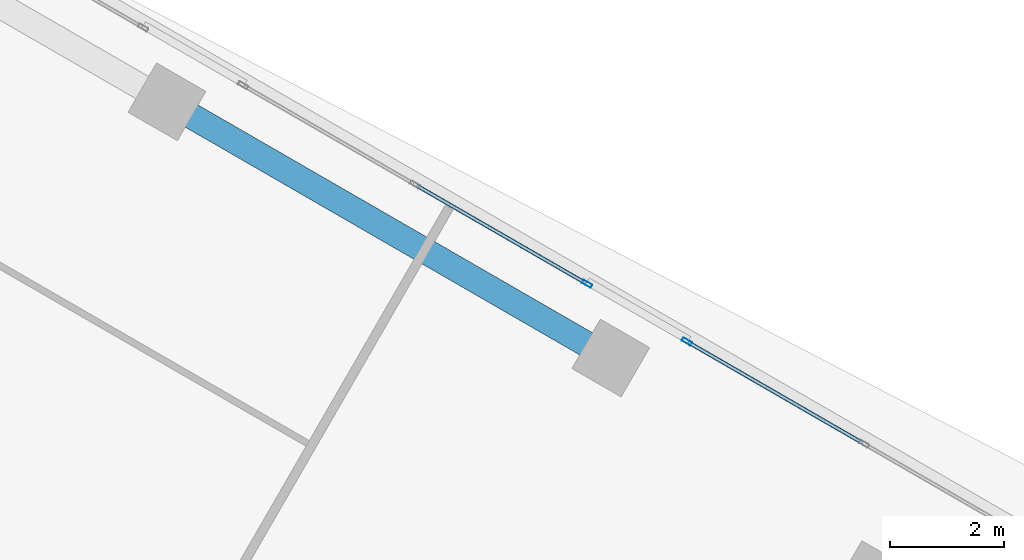
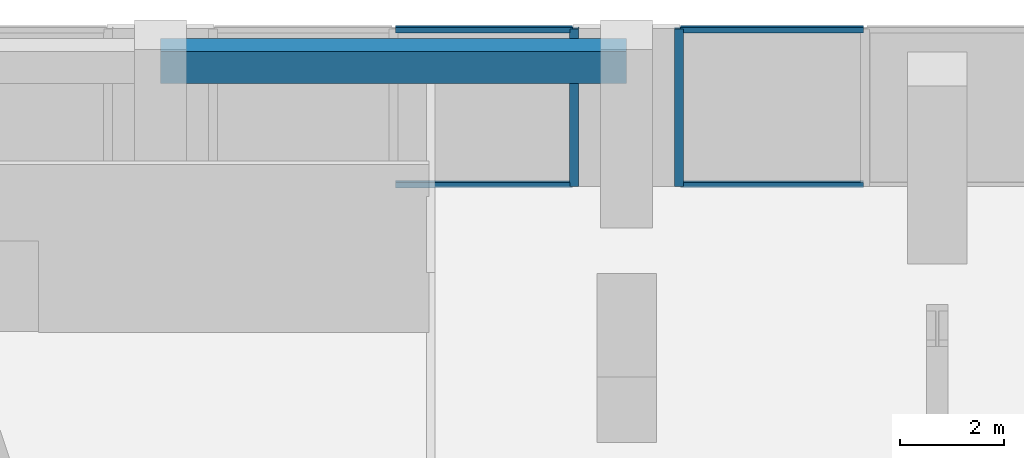
# One storey, part 10 of 21: 6 members, 1 beam, 2 elements without a shape of their own.
"""IFC4 building model written with IfcOpenShell, lengths in metres."""

from ifc_helpers import new_model, si_unit, direction, frame, origin, origin_2d, place, context, subcontext, project, spatial, rectangle, hollow_rectangle, extrude, source, transform, mapped, material, material_profile, profile_set, type_object, element, aggregate, save


model = new_model("IFC4")

# Units and contexts
model_context = context("Model", 3, precision=1e-05, world=origin(), true_north=direction((0.0, 1.0)))
body_context = subcontext(model_context, "Body", "Model", "MODEL_VIEW")
ifc_project = project(units=[si_unit("LENGTHUNIT", "METRE"), si_unit("AREAUNIT", "SQUARE_METRE"), si_unit("VOLUMEUNIT", "CUBIC_METRE"), si_unit("PLANEANGLEUNIT", "RADIAN"), si_unit("MASSUNIT", "GRAM", prefix="KILO")], contexts=[model_context])

# Site, building, storey
site_placement = place(None, origin())
site = spatial("IfcSite", under=ifc_project, at=site_placement, CompositionType="ELEMENT")
building_placement = place(site_placement, origin())
building = spatial("IfcBuilding", under=site, at=building_placement, Name="Torre Montelarca", CompositionType="ELEMENT")
storey_placement = place(building_placement, frame((0.0, 0.0, 179.199951171875)))
storey = spatial("IfcBuildingStorey", under=building, at=storey_placement, Name="L40", CompositionType="ELEMENT", Elevation=179.199951171875)

# Beam
ifc_material_1 = material(Name="Concrete C55/67", Category="concrete")
ifc_material_profile_1 = material_profile(ifc_material_1, rectangle(XDim=0.449951171875, YDim=0.75, at=origin_2d()), Name="RCB450X750", Category="concrete")
ifc_profile_set_1 = profile_set([ifc_material_profile_1], Name="Concrete C55/67")
beam_type = type_object("IfcBeamType", Name="BM-SP-RC750-EXT", PredefinedType="SPANDREL", material=ifc_profile_set_1)
shared_shape_1 = source(origin(), body_context, "Body", "SweptSolid", [
    extrude(rectangle(XDim=0.449951171875, YDim=0.75, at=origin_2d()), origin(), (0.0, 0.0, 1.0), 9.0),
])
beam_placement = place(storey_placement, frame((33.838134765625, 42.370361328125, 3.5849609375), z_axis=(0.866024315419, -0.5000018851, 0.0), x_axis=(0.5000018851, 0.866024315419, 0.0)))
element("IfcBeam", 1, at=beam_placement, inside=storey, type_object=beam_type, Name="L40 Grid Girder X 27.0-36.0 at Y=47.1", PredefinedType="SPANDREL", context=body_context, shape_type="MappedRepresentation", body=[
    mapped(shared_shape_1, transform((0.0, 0.0, 0.0), scale=1.0)),
])

# Curtain wall, member
ifc_material_2 = material(Name="Insulated low-E laminated glass", Category="glass")
curtain_wall_type = type_object("IfcCurtainWallType", Name="CW-SYS-Z2", PredefinedType="USERDEFINED", material=ifc_material_2)
curtain_wall_1_placement = place(storey_placement, origin())
curtain_wall_1 = element("IfcCurtainWall", 2, at=curtain_wall_1_placement, inside=storey, type_object=curtain_wall_type, Name="L40 Curtain Wall Run CW-T3-L40-E08-B1", ObjectType="UNITISED GLAZING", PredefinedType="USERDEFINED")
ifc_material_3 = material(Name="Anodised aluminium AA 6063-T6", Category="aluminium")
ifc_material_profile_2 = material_profile(ifc_material_3, hollow_rectangle(XDim=0.06494140625, YDim=0.179931640625, WallThickness=0.00390625, InnerFilletRadius=0.00390625, OuterFilletRadius=0.008056640625, at=origin_2d()), Name="ALU65X180X4", Category="aluminium")
ifc_profile_set_2 = profile_set([ifc_material_profile_2], Name="Anodised aluminium AA 6063-T6")
member_type_1 = type_object("IfcMemberType", Name="CWM-ALU180", PredefinedType="MULLION", material=ifc_profile_set_2)
shared_shape_2 = source(origin(), body_context, "Body", "SweptSolid", [
    extrude(hollow_rectangle(XDim=0.06494140625, YDim=0.179931640625, WallThickness=0.00390625, InnerFilletRadius=0.00390625, OuterFilletRadius=0.008056640625, at=origin_2d()), origin(), (0.0, 0.0, 1.0), 3.719970703125),
])
member_1_placement = place(storey_placement, frame((42.96923828125, 38.16064453125, 0.0), z_axis=(0.0, 0.0, 1.0), x_axis=(-0.500001282416, -0.86602466338, 0.0)))
member_1 = element("IfcMember", 3, at=member_1_placement, type_object=member_type_1, Name="CW mullion 3", PredefinedType="MULLION", context=body_context, shape_type="MappedRepresentation", body=[
    mapped(shared_shape_2, transform((0.0, 0.0, 0.0), scale=1.0)),
])

# Curtain wall, members
curtain_wall_2_placement = place(storey_placement, origin())
curtain_wall_2 = element("IfcCurtainWall", 4, at=curtain_wall_2_placement, inside=storey, type_object=curtain_wall_type, Name="L40 Curtain Wall Run CW-T3-L40-E08-B2", ObjectType="UNITISED GLAZING", PredefinedType="USERDEFINED")
member_2_placement = place(storey_placement, frame((41.215576171875, 39.17333984375, 0.0), z_axis=(0.0, 0.0, 1.0), x_axis=(-0.49999500825, -0.866028285754, 0.0)))
member_2 = element("IfcMember", 5, at=member_2_placement, type_object=member_type_1, Name="CW mullion 1", PredefinedType="MULLION", context=body_context, shape_type="MappedRepresentation", body=[
    mapped(shared_shape_2, transform((0.0, 0.0, 0.0), scale=1.0)),
])
ifc_material_profile_3 = material_profile(ifc_material_3, hollow_rectangle(XDim=0.06494140625, YDim=0.139892578125, WallThickness=0.00390625, InnerFilletRadius=0.00390625, OuterFilletRadius=0.008056640625, at=origin_2d()), Name="ALU65X140X4", Category="aluminium")
ifc_profile_set_3 = profile_set([ifc_material_profile_3], Name="Anodised aluminium AA 6063-T6")
member_type_2 = type_object("IfcMemberType", Name="CWT-ALU140", PredefinedType="USERDEFINED", material=ifc_profile_set_3)
shared_shape_3 = source(origin(), body_context, "Body", "SweptSolid", [
    extrude(hollow_rectangle(XDim=0.06494140625, YDim=0.139892578125, WallThickness=0.00390625, InnerFilletRadius=0.00390625, OuterFilletRadius=0.008056640625, at=origin_2d()), origin(), (0.0, 0.0, 1.0), 3.422607421875),
])
member_3_placement = place(storey_placement, frame((41.1875, 39.189453125, 0.032470703125), z_axis=(-0.866044232905, 0.499967385589, 0.0), x_axis=(-0.499967385589, -0.866044232905, 0.0)))
member_3 = element("IfcMember", 6, at=member_3_placement, type_object=member_type_2, Name="CW transom 1.1", ObjectType="TRANSOM", PredefinedType="USERDEFINED", context=body_context, shape_type="MappedRepresentation", body=[
    mapped(shared_shape_3, transform((0.0, 0.0, 0.0), scale=1.0)),
])
member_4_placement = place(storey_placement, frame((41.1875, 39.189453125, 3.6875), z_axis=(-0.866044232905, 0.499967385589, 0.0), x_axis=(-0.499967385589, -0.866044232905, 0.0)))
member_4 = element("IfcMember", 7, at=member_4_placement, type_object=member_type_2, Name="CW transom 1.2", ObjectType="TRANSOM", PredefinedType="USERDEFINED", context=body_context, shape_type="MappedRepresentation", body=[
    mapped(shared_shape_3, transform((0.0, 0.0, 0.0), scale=1.0)),
])
aggregate(curtain_wall_2, [member_2, member_3, member_4])

# Member
shared_shape_4 = source(origin(), body_context, "Body", "SweptSolid", [
    extrude(hollow_rectangle(XDim=0.06494140625, YDim=0.139892578125, WallThickness=0.00390625, InnerFilletRadius=0.00390625, OuterFilletRadius=0.008056640625, at=origin_2d()), origin(), (0.0, 0.0, 1.0), 3.52978515625),
])
member_5_placement = place(storey_placement, frame((46.05419921875, 36.379638671875, 0.032470703125), z_axis=(-0.866025485263, 0.499999858875, 0.0), x_axis=(-0.499999858875, -0.866025485263, 0.0)))
member_5 = element("IfcMember", 8, at=member_5_placement, type_object=member_type_2, Name="CW transom 2.1", ObjectType="TRANSOM", PredefinedType="USERDEFINED", context=body_context, shape_type="MappedRepresentation", body=[
    mapped(shared_shape_4, transform((0.0, 0.0, 0.0), scale=1.0)),
])

member_6_placement = place(storey_placement, frame((46.05419921875, 36.379638671875, 3.6875), z_axis=(-0.866025485263, 0.499999858875, 0.0), x_axis=(-0.499999858875, -0.866025485263, 0.0)))
member_6 = element("IfcMember", 9, at=member_6_placement, type_object=member_type_2, Name="CW transom 2.2", ObjectType="TRANSOM", PredefinedType="USERDEFINED", context=body_context, shape_type="MappedRepresentation", body=[
    mapped(shared_shape_4, transform((0.0, 0.0, 0.0), scale=1.0)),
])

aggregate(curtain_wall_1, [member_1, member_5, member_6])

save(model, "model.ifc")
